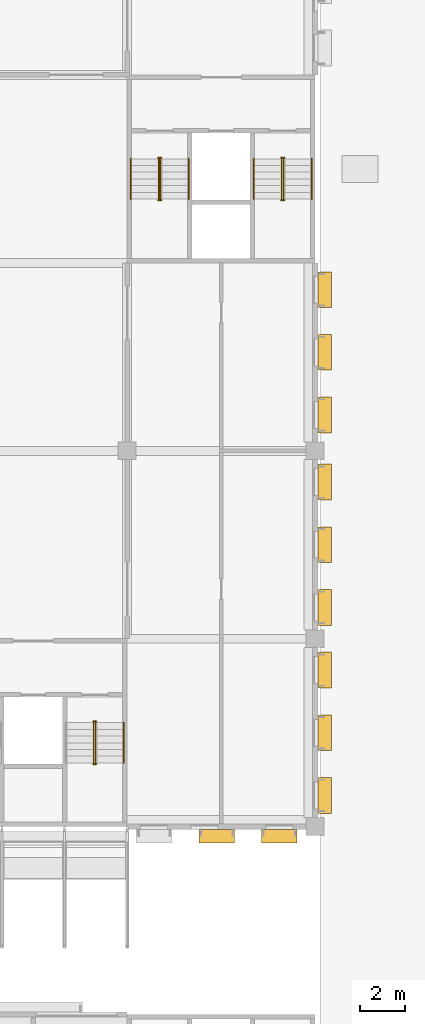
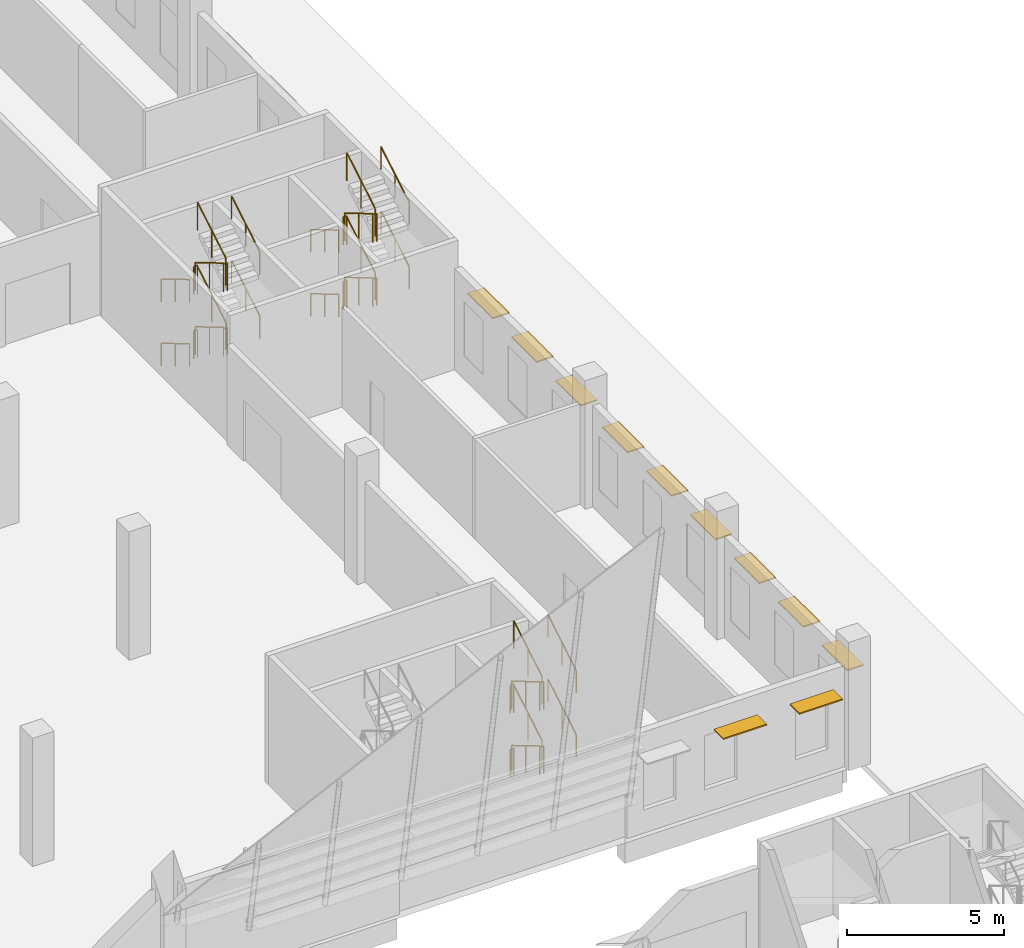
# One storey, part 98 of 101: 34 railings, 11 shading devices.
"""IFC4 building model written with IfcOpenShell, lengths in metres."""

from ifc_helpers import new_model, si_unit, direction, frame, origin, origin_2d, place, context, subcontext, project, spatial, rectangle, circle, extrude, material, material_profile, profile_set, type_object, element, save


model = new_model("IFC4")

# Units and contexts
model_context = context("Model", 3, precision=1e-05, world=origin(), true_north=direction((0.0, 1.0)))
body_context = subcontext(model_context, "Body", "Model", "MODEL_VIEW")
ifc_project = project(units=[si_unit("LENGTHUNIT", "METRE"), si_unit("AREAUNIT", "SQUARE_METRE"), si_unit("VOLUMEUNIT", "CUBIC_METRE"), si_unit("PLANEANGLEUNIT", "RADIAN"), si_unit("MASSUNIT", "GRAM", prefix="KILO")], contexts=[model_context])

# Site, building, storey
site_placement = place(None, origin())
site = spatial("IfcSite", under=ifc_project, at=site_placement, CompositionType="ELEMENT")
building_placement = place(site_placement, origin())
building = spatial("IfcBuilding", under=site, at=building_placement, Name="Almond Square Museum", CompositionType="ELEMENT")
storey_placement = place(building_placement, frame((0.0, 0.0, 5.5)))
storey = spatial("IfcBuildingStorey", under=building, at=storey_placement, Name="L01", CompositionType="ELEMENT", Elevation=5.5)

# Railings
ifc_material_1 = material(Name="Stainless steel and laminated glass", Category="steel")
railing_type_1 = type_object("IfcRailingType", Name="Stair guard 1100 steel and glass", PredefinedType="GUARDRAIL", material=ifc_material_1)
railing_1_placement = place(storey_placement, frame((147.31005859375, 55.050048828125, 0.178466796875)))
element("IfcRailing", 1, at=railing_1_placement, inside=storey, type_object=railing_type_1, Name="L01 ST-04 stair guard 1", PredefinedType="GUARDRAIL", context=body_context, shape_type="SweptSolid", body=[
    extrude(circle(Radius=0.02392578125, at=origin_2d()), frame((0.0, 0.0, 1.076171875), z_axis=(0.0, -0.859277029364, 0.511510495305), x_axis=(1.0, 0.0, 0.0)), (0.0, 0.0, 1.0), 2.0947265625),
    extrude(circle(Radius=0.02099609375, at=origin_2d()), origin(), (0.0, 0.0, 1.0), 1.052001953125),
    extrude(circle(Radius=0.02099609375, at=origin_2d()), frame((0.0, -0.89990234375, 0.53564453125)), (0.0, 0.0, 1.0), 1.052001953125),
    extrude(circle(Radius=0.02099609375, at=origin_2d()), frame((0.0, -1.800048828125, 1.071533203125)), (0.0, 0.0, 1.0), 1.052001953125),
])
railing_2_placement = place(storey_placement, frame((147.280029296875, 53.199951171875, 1.25)))
element("IfcRailing", 2, at=railing_2_placement, inside=storey, type_object=railing_type_1, Name="L01 ST-04 stair guard 2", PredefinedType="GUARDRAIL", context=body_context, shape_type="SweptSolid", body=[
    extrude(circle(Radius=0.02392578125, at=origin_2d()), frame((0.0, 0.0, 1.076171875), z_axis=(1.0, 0.0, 0.0), x_axis=(0.0, 1.0, 0.0)), (0.0, 0.0, 1.0), 0.139892578125),
    extrude(circle(Radius=0.02099609375, at=origin_2d()), origin(), (0.0, 0.0, 1.0), 1.052001953125),
    extrude(circle(Radius=0.02099609375, at=origin_2d()), frame((0.139892578125, 0.0, 0.0)), (0.0, 0.0, 1.0), 1.052001953125),
])
railing_3_placement = place(storey_placement, frame((147.389892578125, 53.25, 1.428466796875)))
element("IfcRailing", 3, at=railing_3_placement, inside=storey, type_object=railing_type_1, Name="L01 ST-04 stair guard 3", PredefinedType="GUARDRAIL", context=body_context, shape_type="SweptSolid", body=[
    extrude(circle(Radius=0.02392578125, at=origin_2d()), frame((0.0, 0.0, 1.076171875), z_axis=(0.0, 0.859277029364, 0.511510495305), x_axis=(-1.0, 0.0, 0.0)), (0.0, 0.0, 1.0), 2.0947265625),
    extrude(circle(Radius=0.02099609375, at=origin_2d()), origin(), (0.0, 0.0, 1.0), 1.052001953125),
    extrude(circle(Radius=0.02099609375, at=origin_2d()), frame((0.0, 0.89990234375, 0.53564453125)), (0.0, 0.0, 1.0), 1.052001953125),
    extrude(circle(Radius=0.02099609375, at=origin_2d()), frame((0.0, 1.800048828125, 1.071533203125)), (0.0, 0.0, 1.0), 1.052001953125),
])
railing_4_placement = place(storey_placement, frame((147.280029296875, 55.10009765625, 2.5)))
element("IfcRailing", 4, at=railing_4_placement, inside=storey, type_object=railing_type_1, Name="L01 ST-04 stair guard 4", PredefinedType="GUARDRAIL", context=body_context, shape_type="SweptSolid", body=[
    extrude(circle(Radius=0.02392578125, at=origin_2d()), frame((0.0, 0.0, 1.076171875), z_axis=(1.0, 0.0, 0.0), x_axis=(0.0, 1.0, 0.0)), (0.0, 0.0, 1.0), 0.139892578125),
    extrude(circle(Radius=0.02099609375, at=origin_2d()), origin(), (0.0, 0.0, 1.0), 1.052001953125),
    extrude(circle(Radius=0.02099609375, at=origin_2d()), frame((0.139892578125, 0.0, 0.0)), (0.0, 0.0, 1.0), 1.052001953125),
])
railing_5_placement = place(storey_placement, frame((147.31005859375, 55.050048828125, 2.678466796875)))
element("IfcRailing", 5, at=railing_5_placement, inside=storey, type_object=railing_type_1, Name="L01 ST-04 stair guard 5", PredefinedType="GUARDRAIL", context=body_context, shape_type="SweptSolid", body=[
    extrude(circle(Radius=0.02392578125, at=origin_2d()), frame((0.0, 0.0, 1.076171875), z_axis=(0.0, -0.859277029364, 0.511510495305), x_axis=(1.0, 0.0, 0.0)), (0.0, 0.0, 1.0), 2.0947265625),
    extrude(circle(Radius=0.02099609375, at=origin_2d()), origin(), (0.0, 0.0, 1.0), 1.052001953125),
    extrude(circle(Radius=0.02099609375, at=origin_2d()), frame((0.0, -0.89990234375, 0.53564453125)), (0.0, 0.0, 1.0), 1.052001953125),
    extrude(circle(Radius=0.02099609375, at=origin_2d()), frame((0.0, -1.800048828125, 1.071533203125)), (0.0, 0.0, 1.0), 1.052001953125),
])
railing_6_placement = place(storey_placement, frame((147.280029296875, 53.199951171875, 3.75)))
element("IfcRailing", 6, at=railing_6_placement, inside=storey, type_object=railing_type_1, Name="L01 ST-04 stair guard 6", PredefinedType="GUARDRAIL", context=body_context, shape_type="SweptSolid", body=[
    extrude(circle(Radius=0.02392578125, at=origin_2d()), frame((0.0, 0.0, 1.076171875), z_axis=(1.0, 0.0, 0.0), x_axis=(0.0, 1.0, 0.0)), (0.0, 0.0, 1.0), 0.139892578125),
    extrude(circle(Radius=0.02099609375, at=origin_2d()), origin(), (0.0, 0.0, 1.0), 1.052001953125),
    extrude(circle(Radius=0.02099609375, at=origin_2d()), frame((0.139892578125, 0.0, 0.0)), (0.0, 0.0, 1.0), 1.052001953125),
])
railing_7_placement = place(storey_placement, frame((147.389892578125, 53.25, 3.928466796875)))
element("IfcRailing", 7, at=railing_7_placement, inside=storey, type_object=railing_type_1, Name="L01 ST-04 stair guard 7", PredefinedType="GUARDRAIL", context=body_context, shape_type="SweptSolid", body=[
    extrude(circle(Radius=0.02392578125, at=origin_2d()), frame((0.0, 0.0, 1.076171875), z_axis=(0.0, 0.859277029364, 0.511510495305), x_axis=(-1.0, 0.0, 0.0)), (0.0, 0.0, 1.0), 2.0947265625),
    extrude(circle(Radius=0.02099609375, at=origin_2d()), origin(), (0.0, 0.0, 1.0), 1.052001953125),
    extrude(circle(Radius=0.02099609375, at=origin_2d()), frame((0.0, 0.89990234375, 0.53564453125)), (0.0, 0.0, 1.0), 1.052001953125),
    extrude(circle(Radius=0.02099609375, at=origin_2d()), frame((0.0, 1.800048828125, 1.071533203125)), (0.0, 0.0, 1.0), 1.052001953125),
])
railing_8_placement = place(storey_placement, frame((147.280029296875, 55.10009765625, 0.0)))
element("IfcRailing", 8, at=railing_8_placement, inside=storey, type_object=railing_type_1, Name="L01 ST-04 stair guard 8", PredefinedType="GUARDRAIL", context=body_context, shape_type="SweptSolid", body=[
    extrude(circle(Radius=0.02392578125, at=origin_2d()), frame((0.0, 0.0, 1.076171875), z_axis=(1.0, 0.0, 0.0), x_axis=(0.0, 1.0, 0.0)), (0.0, 0.0, 1.0), 0.139892578125),
    extrude(circle(Radius=0.02099609375, at=origin_2d()), origin(), (0.0, 0.0, 1.0), 1.052001953125),
    extrude(circle(Radius=0.02099609375, at=origin_2d()), frame((0.139892578125, 0.0, 0.0)), (0.0, 0.0, 1.0), 1.052001953125),
])
railing_9_placement = place(storey_placement, frame((150.2099609375, 80.25, 0.178466796875)))
element("IfcRailing", 9, at=railing_9_placement, inside=storey, type_object=railing_type_1, Name="L01 ST-25 stair guard 1", PredefinedType="GUARDRAIL", context=body_context, shape_type="SweptSolid", body=[
    extrude(circle(Radius=0.02392578125, at=origin_2d()), frame((0.0, 0.0, 1.076171875), z_axis=(0.0, -0.859277029364, 0.511510495305), x_axis=(1.0, 0.0, 0.0)), (0.0, 0.0, 1.0), 2.0947265625),
    extrude(circle(Radius=0.02099609375, at=origin_2d()), origin(), (0.0, 0.0, 1.0), 1.052001953125),
    extrude(circle(Radius=0.02099609375, at=origin_2d()), frame((0.0, -0.89990234375, 0.53564453125)), (0.0, 0.0, 1.0), 1.052001953125),
    extrude(circle(Radius=0.02099609375, at=origin_2d()), frame((0.0, -1.800048828125, 1.071533203125)), (0.0, 0.0, 1.0), 1.052001953125),
])
railing_10_placement = place(storey_placement, frame((150.179931640625, 78.39990234375, 1.25)))
element("IfcRailing", 10, at=railing_10_placement, inside=storey, type_object=railing_type_1, Name="L01 ST-25 stair guard 2", PredefinedType="GUARDRAIL", context=body_context, shape_type="SweptSolid", body=[
    extrude(circle(Radius=0.02392578125, at=origin_2d()), frame((0.0, 0.0, 1.076171875), z_axis=(1.0, 0.0, 0.0), x_axis=(0.0, 1.0, 0.0)), (0.0, 0.0, 1.0), 0.14013671875),
    extrude(circle(Radius=0.02099609375, at=origin_2d()), origin(), (0.0, 0.0, 1.0), 1.052001953125),
    extrude(circle(Radius=0.02099609375, at=origin_2d()), frame((0.14013671875, 0.0, 0.0)), (0.0, 0.0, 1.0), 1.052001953125),
])
railing_11_placement = place(storey_placement, frame((150.2900390625, 78.449951171875, 1.428466796875)))
element("IfcRailing", 11, at=railing_11_placement, inside=storey, type_object=railing_type_1, Name="L01 ST-25 stair guard 3", PredefinedType="GUARDRAIL", context=body_context, shape_type="SweptSolid", body=[
    extrude(circle(Radius=0.02392578125, at=origin_2d()), frame((0.0, 0.0, 1.076171875), z_axis=(0.0, 0.859277029364, 0.511510495305), x_axis=(-1.0, 0.0, 0.0)), (0.0, 0.0, 1.0), 2.0947265625),
    extrude(circle(Radius=0.02099609375, at=origin_2d()), origin(), (0.0, 0.0, 1.0), 1.052001953125),
    extrude(circle(Radius=0.02099609375, at=origin_2d()), frame((0.0, 0.89990234375, 0.53564453125)), (0.0, 0.0, 1.0), 1.052001953125),
    extrude(circle(Radius=0.02099609375, at=origin_2d()), frame((0.0, 1.800048828125, 1.071533203125)), (0.0, 0.0, 1.0), 1.052001953125),
])
railing_12_placement = place(storey_placement, frame((150.179931640625, 80.300048828125, 2.5)))
element("IfcRailing", 12, at=railing_12_placement, inside=storey, type_object=railing_type_1, Name="L01 ST-25 stair guard 4", PredefinedType="GUARDRAIL", context=body_context, shape_type="SweptSolid", body=[
    extrude(circle(Radius=0.02392578125, at=origin_2d()), frame((0.0, 0.0, 1.076171875), z_axis=(1.0, 0.0, 0.0), x_axis=(0.0, 1.0, 0.0)), (0.0, 0.0, 1.0), 0.14013671875),
    extrude(circle(Radius=0.02099609375, at=origin_2d()), origin(), (0.0, 0.0, 1.0), 1.052001953125),
    extrude(circle(Radius=0.02099609375, at=origin_2d()), frame((0.14013671875, 0.0, 0.0)), (0.0, 0.0, 1.0), 1.052001953125),
])
railing_13_placement = place(storey_placement, frame((150.2099609375, 80.25, 2.678466796875)))
element("IfcRailing", 13, at=railing_13_placement, inside=storey, type_object=railing_type_1, Name="L01 ST-25 stair guard 5", PredefinedType="GUARDRAIL", context=body_context, shape_type="SweptSolid", body=[
    extrude(circle(Radius=0.02392578125, at=origin_2d()), frame((0.0, 0.0, 1.076171875), z_axis=(0.0, -0.859277029364, 0.511510495305), x_axis=(1.0, 0.0, 0.0)), (0.0, 0.0, 1.0), 2.0947265625),
    extrude(circle(Radius=0.02099609375, at=origin_2d()), origin(), (0.0, 0.0, 1.0), 1.052001953125),
    extrude(circle(Radius=0.02099609375, at=origin_2d()), frame((0.0, -0.89990234375, 0.53564453125)), (0.0, 0.0, 1.0), 1.052001953125),
    extrude(circle(Radius=0.02099609375, at=origin_2d()), frame((0.0, -1.800048828125, 1.071533203125)), (0.0, 0.0, 1.0), 1.052001953125),
])
railing_14_placement = place(storey_placement, frame((150.179931640625, 78.39990234375, 3.75)))
element("IfcRailing", 14, at=railing_14_placement, inside=storey, type_object=railing_type_1, Name="L01 ST-25 stair guard 6", PredefinedType="GUARDRAIL", context=body_context, shape_type="SweptSolid", body=[
    extrude(circle(Radius=0.02392578125, at=origin_2d()), frame((0.0, 0.0, 1.076171875), z_axis=(1.0, 0.0, 0.0), x_axis=(0.0, 1.0, 0.0)), (0.0, 0.0, 1.0), 0.14013671875),
    extrude(circle(Radius=0.02099609375, at=origin_2d()), origin(), (0.0, 0.0, 1.0), 1.052001953125),
    extrude(circle(Radius=0.02099609375, at=origin_2d()), frame((0.14013671875, 0.0, 0.0)), (0.0, 0.0, 1.0), 1.052001953125),
])
railing_15_placement = place(storey_placement, frame((150.2900390625, 78.449951171875, 3.928466796875)))
element("IfcRailing", 15, at=railing_15_placement, inside=storey, type_object=railing_type_1, Name="L01 ST-25 stair guard 7", PredefinedType="GUARDRAIL", context=body_context, shape_type="SweptSolid", body=[
    extrude(circle(Radius=0.02392578125, at=origin_2d()), frame((0.0, 0.0, 1.076171875), z_axis=(0.0, 0.859277029364, 0.511510495305), x_axis=(-1.0, 0.0, 0.0)), (0.0, 0.0, 1.0), 2.0947265625),
    extrude(circle(Radius=0.02099609375, at=origin_2d()), origin(), (0.0, 0.0, 1.0), 1.052001953125),
    extrude(circle(Radius=0.02099609375, at=origin_2d()), frame((0.0, 0.89990234375, 0.53564453125)), (0.0, 0.0, 1.0), 1.052001953125),
    extrude(circle(Radius=0.02099609375, at=origin_2d()), frame((0.0, 1.800048828125, 1.071533203125)), (0.0, 0.0, 1.0), 1.052001953125),
])
railing_16_placement = place(storey_placement, frame((150.179931640625, 80.300048828125, 0.0)))
element("IfcRailing", 16, at=railing_16_placement, inside=storey, type_object=railing_type_1, Name="L01 ST-25 stair guard 8", PredefinedType="GUARDRAIL", context=body_context, shape_type="SweptSolid", body=[
    extrude(circle(Radius=0.02392578125, at=origin_2d()), frame((0.0, 0.0, 1.076171875), z_axis=(1.0, 0.0, 0.0), x_axis=(0.0, 1.0, 0.0)), (0.0, 0.0, 1.0), 0.14013671875),
    extrude(circle(Radius=0.02099609375, at=origin_2d()), origin(), (0.0, 0.0, 1.0), 1.052001953125),
    extrude(circle(Radius=0.02099609375, at=origin_2d()), frame((0.14013671875, 0.0, 0.0)), (0.0, 0.0, 1.0), 1.052001953125),
])
railing_17_placement = place(storey_placement, frame((155.7099609375, 80.25, 0.178466796875)))
element("IfcRailing", 17, at=railing_17_placement, inside=storey, type_object=railing_type_1, Name="L01 ST-26 stair guard 1", PredefinedType="GUARDRAIL", context=body_context, shape_type="SweptSolid", body=[
    extrude(circle(Radius=0.02392578125, at=origin_2d()), frame((0.0, 0.0, 1.076171875), z_axis=(0.0, -0.859277029364, 0.511510495305), x_axis=(1.0, 0.0, 0.0)), (0.0, 0.0, 1.0), 2.0947265625),
    extrude(circle(Radius=0.02099609375, at=origin_2d()), origin(), (0.0, 0.0, 1.0), 1.052001953125),
    extrude(circle(Radius=0.02099609375, at=origin_2d()), frame((0.0, -0.89990234375, 0.53564453125)), (0.0, 0.0, 1.0), 1.052001953125),
    extrude(circle(Radius=0.02099609375, at=origin_2d()), frame((0.0, -1.800048828125, 1.071533203125)), (0.0, 0.0, 1.0), 1.052001953125),
])
railing_18_placement = place(storey_placement, frame((155.679931640625, 78.39990234375, 1.25)))
element("IfcRailing", 18, at=railing_18_placement, inside=storey, type_object=railing_type_1, Name="L01 ST-26 stair guard 2", PredefinedType="GUARDRAIL", context=body_context, shape_type="SweptSolid", body=[
    extrude(circle(Radius=0.02392578125, at=origin_2d()), frame((0.0, 0.0, 1.076171875), z_axis=(1.0, 0.0, 0.0), x_axis=(0.0, 1.0, 0.0)), (0.0, 0.0, 1.0), 0.14013671875),
    extrude(circle(Radius=0.02099609375, at=origin_2d()), origin(), (0.0, 0.0, 1.0), 1.052001953125),
    extrude(circle(Radius=0.02099609375, at=origin_2d()), frame((0.14013671875, 0.0, 0.0)), (0.0, 0.0, 1.0), 1.052001953125),
])
railing_19_placement = place(storey_placement, frame((155.7900390625, 78.449951171875, 1.428466796875)))
element("IfcRailing", 19, at=railing_19_placement, inside=storey, type_object=railing_type_1, Name="L01 ST-26 stair guard 3", PredefinedType="GUARDRAIL", context=body_context, shape_type="SweptSolid", body=[
    extrude(circle(Radius=0.02392578125, at=origin_2d()), frame((0.0, 0.0, 1.076171875), z_axis=(0.0, 0.859277029364, 0.511510495305), x_axis=(-1.0, 0.0, 0.0)), (0.0, 0.0, 1.0), 2.0947265625),
    extrude(circle(Radius=0.02099609375, at=origin_2d()), origin(), (0.0, 0.0, 1.0), 1.052001953125),
    extrude(circle(Radius=0.02099609375, at=origin_2d()), frame((0.0, 0.89990234375, 0.53564453125)), (0.0, 0.0, 1.0), 1.052001953125),
    extrude(circle(Radius=0.02099609375, at=origin_2d()), frame((0.0, 1.800048828125, 1.071533203125)), (0.0, 0.0, 1.0), 1.052001953125),
])
railing_20_placement = place(storey_placement, frame((155.679931640625, 80.300048828125, 2.5)))
element("IfcRailing", 20, at=railing_20_placement, inside=storey, type_object=railing_type_1, Name="L01 ST-26 stair guard 4", PredefinedType="GUARDRAIL", context=body_context, shape_type="SweptSolid", body=[
    extrude(circle(Radius=0.02392578125, at=origin_2d()), frame((0.0, 0.0, 1.076171875), z_axis=(1.0, 0.0, 0.0), x_axis=(0.0, 1.0, 0.0)), (0.0, 0.0, 1.0), 0.14013671875),
    extrude(circle(Radius=0.02099609375, at=origin_2d()), origin(), (0.0, 0.0, 1.0), 1.052001953125),
    extrude(circle(Radius=0.02099609375, at=origin_2d()), frame((0.14013671875, 0.0, 0.0)), (0.0, 0.0, 1.0), 1.052001953125),
])
railing_21_placement = place(storey_placement, frame((155.7099609375, 80.25, 2.678466796875)))
element("IfcRailing", 21, at=railing_21_placement, inside=storey, type_object=railing_type_1, Name="L01 ST-26 stair guard 5", PredefinedType="GUARDRAIL", context=body_context, shape_type="SweptSolid", body=[
    extrude(circle(Radius=0.02392578125, at=origin_2d()), frame((0.0, 0.0, 1.076171875), z_axis=(0.0, -0.859277029364, 0.511510495305), x_axis=(1.0, 0.0, 0.0)), (0.0, 0.0, 1.0), 2.0947265625),
    extrude(circle(Radius=0.02099609375, at=origin_2d()), origin(), (0.0, 0.0, 1.0), 1.052001953125),
    extrude(circle(Radius=0.02099609375, at=origin_2d()), frame((0.0, -0.89990234375, 0.53564453125)), (0.0, 0.0, 1.0), 1.052001953125),
    extrude(circle(Radius=0.02099609375, at=origin_2d()), frame((0.0, -1.800048828125, 1.071533203125)), (0.0, 0.0, 1.0), 1.052001953125),
])
railing_22_placement = place(storey_placement, frame((155.679931640625, 78.39990234375, 3.75)))
element("IfcRailing", 22, at=railing_22_placement, inside=storey, type_object=railing_type_1, Name="L01 ST-26 stair guard 6", PredefinedType="GUARDRAIL", context=body_context, shape_type="SweptSolid", body=[
    extrude(circle(Radius=0.02392578125, at=origin_2d()), frame((0.0, 0.0, 1.076171875), z_axis=(1.0, 0.0, 0.0), x_axis=(0.0, 1.0, 0.0)), (0.0, 0.0, 1.0), 0.14013671875),
    extrude(circle(Radius=0.02099609375, at=origin_2d()), origin(), (0.0, 0.0, 1.0), 1.052001953125),
    extrude(circle(Radius=0.02099609375, at=origin_2d()), frame((0.14013671875, 0.0, 0.0)), (0.0, 0.0, 1.0), 1.052001953125),
])
railing_23_placement = place(storey_placement, frame((155.7900390625, 78.449951171875, 3.928466796875)))
element("IfcRailing", 23, at=railing_23_placement, inside=storey, type_object=railing_type_1, Name="L01 ST-26 stair guard 7", PredefinedType="GUARDRAIL", context=body_context, shape_type="SweptSolid", body=[
    extrude(circle(Radius=0.02392578125, at=origin_2d()), frame((0.0, 0.0, 1.076171875), z_axis=(0.0, 0.859277029364, 0.511510495305), x_axis=(-1.0, 0.0, 0.0)), (0.0, 0.0, 1.0), 2.0947265625),
    extrude(circle(Radius=0.02099609375, at=origin_2d()), origin(), (0.0, 0.0, 1.0), 1.052001953125),
    extrude(circle(Radius=0.02099609375, at=origin_2d()), frame((0.0, 0.89990234375, 0.53564453125)), (0.0, 0.0, 1.0), 1.052001953125),
    extrude(circle(Radius=0.02099609375, at=origin_2d()), frame((0.0, 1.800048828125, 1.071533203125)), (0.0, 0.0, 1.0), 1.052001953125),
])
railing_24_placement = place(storey_placement, frame((155.679931640625, 80.300048828125, 0.0)))
element("IfcRailing", 24, at=railing_24_placement, inside=storey, type_object=railing_type_1, Name="L01 ST-26 stair guard 8", PredefinedType="GUARDRAIL", context=body_context, shape_type="SweptSolid", body=[
    extrude(circle(Radius=0.02392578125, at=origin_2d()), frame((0.0, 0.0, 1.076171875), z_axis=(1.0, 0.0, 0.0), x_axis=(0.0, 1.0, 0.0)), (0.0, 0.0, 1.0), 0.14013671875),
    extrude(circle(Radius=0.02099609375, at=origin_2d()), origin(), (0.0, 0.0, 1.0), 1.052001953125),
    extrude(circle(Radius=0.02099609375, at=origin_2d()), frame((0.14013671875, 0.0, 0.0)), (0.0, 0.0, 1.0), 1.052001953125),
])
ifc_material_2 = material(Name="Stainless steel", Category="steel")
railing_type_2 = type_object("IfcRailingType", Name="Stair handrail 900 steel", PredefinedType="HANDRAIL", material=ifc_material_2)
for number, where, name in (
    (25, (148.64501953125, 53.25, 1.428466796875), "L01 ST-04 stair handrail 2"),
    (26, (148.64501953125, 53.25, 3.928466796875), "L01 ST-04 stair handrail 4"),
):
    element("IfcRailing", number, at=place(storey_placement, frame(where)), inside=storey, type_object=railing_type_2, Name=name, PredefinedType="HANDRAIL", context=body_context, shape_type="SweptSolid", body=[
        extrude(circle(Radius=0.02392578125, at=origin_2d()), frame((0.0, 0.0, 0.8759765625), z_axis=(0.0, 0.859277029364, 0.511510495305), x_axis=(-1.0, 0.0, 0.0)), (0.0, 0.0, 1.0), 2.0947265625),
        extrude(circle(Radius=0.02099609375, at=origin_2d()), origin(), (0.0, 0.0, 1.0), 0.851806640625),
        extrude(circle(Radius=0.02099609375, at=origin_2d()), frame((0.0, 0.89990234375, 0.53564453125)), (0.0, 0.0, 1.0), 0.851806640625),
        extrude(circle(Radius=0.02099609375, at=origin_2d()), frame((0.0, 1.800048828125, 1.071533203125)), (0.0, 0.0, 1.0), 0.851806640625),
    ])
railing_25_placement = place(storey_placement, frame((148.955078125, 80.25, 0.178466796875)))
element("IfcRailing", 27, at=railing_25_placement, inside=storey, type_object=railing_type_2, Name="L01 ST-25 stair handrail 1", PredefinedType="HANDRAIL", context=body_context, shape_type="SweptSolid", body=[
    extrude(circle(Radius=0.02392578125, at=origin_2d()), frame((0.0, 0.0, 0.8759765625), z_axis=(0.0, -0.859277029364, 0.511510495305), x_axis=(1.0, 0.0, 0.0)), (0.0, 0.0, 1.0), 2.0947265625),
    extrude(circle(Radius=0.02099609375, at=origin_2d()), origin(), (0.0, 0.0, 1.0), 0.851806640625),
    extrude(circle(Radius=0.02099609375, at=origin_2d()), frame((0.0, -0.89990234375, 0.53564453125)), (0.0, 0.0, 1.0), 0.851806640625),
    extrude(circle(Radius=0.02099609375, at=origin_2d()), frame((0.0, -1.800048828125, 1.071533203125)), (0.0, 0.0, 1.0), 0.851806640625),
])
railing_26_placement = place(storey_placement, frame((151.544921875, 78.449951171875, 1.428466796875)))
element("IfcRailing", 28, at=railing_26_placement, inside=storey, type_object=railing_type_2, Name="L01 ST-25 stair handrail 2", PredefinedType="HANDRAIL", context=body_context, shape_type="SweptSolid", body=[
    extrude(circle(Radius=0.02392578125, at=origin_2d()), frame((0.0, 0.0, 0.8759765625), z_axis=(0.0, 0.859277029364, 0.511510495305), x_axis=(-1.0, 0.0, 0.0)), (0.0, 0.0, 1.0), 2.0947265625),
    extrude(circle(Radius=0.02099609375, at=origin_2d()), origin(), (0.0, 0.0, 1.0), 0.851806640625),
    extrude(circle(Radius=0.02099609375, at=origin_2d()), frame((0.0, 0.89990234375, 0.53564453125)), (0.0, 0.0, 1.0), 0.851806640625),
    extrude(circle(Radius=0.02099609375, at=origin_2d()), frame((0.0, 1.800048828125, 1.071533203125)), (0.0, 0.0, 1.0), 0.851806640625),
])
railing_27_placement = place(storey_placement, frame((148.955078125, 80.25, 2.678466796875)))
element("IfcRailing", 29, at=railing_27_placement, inside=storey, type_object=railing_type_2, Name="L01 ST-25 stair handrail 3", PredefinedType="HANDRAIL", context=body_context, shape_type="SweptSolid", body=[
    extrude(circle(Radius=0.02392578125, at=origin_2d()), frame((0.0, 0.0, 0.8759765625), z_axis=(0.0, -0.859277029364, 0.511510495305), x_axis=(1.0, 0.0, 0.0)), (0.0, 0.0, 1.0), 2.0947265625),
    extrude(circle(Radius=0.02099609375, at=origin_2d()), origin(), (0.0, 0.0, 1.0), 0.851806640625),
    extrude(circle(Radius=0.02099609375, at=origin_2d()), frame((0.0, -0.89990234375, 0.53564453125)), (0.0, 0.0, 1.0), 0.851806640625),
    extrude(circle(Radius=0.02099609375, at=origin_2d()), frame((0.0, -1.800048828125, 1.071533203125)), (0.0, 0.0, 1.0), 0.851806640625),
])
railing_28_placement = place(storey_placement, frame((151.544921875, 78.449951171875, 3.928466796875)))
element("IfcRailing", 30, at=railing_28_placement, inside=storey, type_object=railing_type_2, Name="L01 ST-25 stair handrail 4", PredefinedType="HANDRAIL", context=body_context, shape_type="SweptSolid", body=[
    extrude(circle(Radius=0.02392578125, at=origin_2d()), frame((0.0, 0.0, 0.8759765625), z_axis=(0.0, 0.859277029364, 0.511510495305), x_axis=(-1.0, 0.0, 0.0)), (0.0, 0.0, 1.0), 2.0947265625),
    extrude(circle(Radius=0.02099609375, at=origin_2d()), origin(), (0.0, 0.0, 1.0), 0.851806640625),
    extrude(circle(Radius=0.02099609375, at=origin_2d()), frame((0.0, 0.89990234375, 0.53564453125)), (0.0, 0.0, 1.0), 0.851806640625),
    extrude(circle(Radius=0.02099609375, at=origin_2d()), frame((0.0, 1.800048828125, 1.071533203125)), (0.0, 0.0, 1.0), 0.851806640625),
])
railing_29_placement = place(storey_placement, frame((154.455078125, 80.25, 0.178466796875)))
element("IfcRailing", 31, at=railing_29_placement, inside=storey, type_object=railing_type_2, Name="L01 ST-26 stair handrail 1", PredefinedType="HANDRAIL", context=body_context, shape_type="SweptSolid", body=[
    extrude(circle(Radius=0.02392578125, at=origin_2d()), frame((0.0, 0.0, 0.8759765625), z_axis=(0.0, -0.859277029364, 0.511510495305), x_axis=(1.0, 0.0, 0.0)), (0.0, 0.0, 1.0), 2.0947265625),
    extrude(circle(Radius=0.02099609375, at=origin_2d()), origin(), (0.0, 0.0, 1.0), 0.851806640625),
    extrude(circle(Radius=0.02099609375, at=origin_2d()), frame((0.0, -0.89990234375, 0.53564453125)), (0.0, 0.0, 1.0), 0.851806640625),
    extrude(circle(Radius=0.02099609375, at=origin_2d()), frame((0.0, -1.800048828125, 1.071533203125)), (0.0, 0.0, 1.0), 0.851806640625),
])
railing_30_placement = place(storey_placement, frame((157.044921875, 78.449951171875, 1.428466796875)))
element("IfcRailing", 32, at=railing_30_placement, inside=storey, type_object=railing_type_2, Name="L01 ST-26 stair handrail 2", PredefinedType="HANDRAIL", context=body_context, shape_type="SweptSolid", body=[
    extrude(circle(Radius=0.02392578125, at=origin_2d()), frame((0.0, 0.0, 0.8759765625), z_axis=(0.0, 0.859277029364, 0.511510495305), x_axis=(-1.0, 0.0, 0.0)), (0.0, 0.0, 1.0), 2.0947265625),
    extrude(circle(Radius=0.02099609375, at=origin_2d()), origin(), (0.0, 0.0, 1.0), 0.851806640625),
    extrude(circle(Radius=0.02099609375, at=origin_2d()), frame((0.0, 0.89990234375, 0.53564453125)), (0.0, 0.0, 1.0), 0.851806640625),
    extrude(circle(Radius=0.02099609375, at=origin_2d()), frame((0.0, 1.800048828125, 1.071533203125)), (0.0, 0.0, 1.0), 0.851806640625),
])
railing_31_placement = place(storey_placement, frame((154.455078125, 80.25, 2.678466796875)))
element("IfcRailing", 33, at=railing_31_placement, inside=storey, type_object=railing_type_2, Name="L01 ST-26 stair handrail 3", PredefinedType="HANDRAIL", context=body_context, shape_type="SweptSolid", body=[
    extrude(circle(Radius=0.02392578125, at=origin_2d()), frame((0.0, 0.0, 0.8759765625), z_axis=(0.0, -0.859277029364, 0.511510495305), x_axis=(1.0, 0.0, 0.0)), (0.0, 0.0, 1.0), 2.0947265625),
    extrude(circle(Radius=0.02099609375, at=origin_2d()), origin(), (0.0, 0.0, 1.0), 0.851806640625),
    extrude(circle(Radius=0.02099609375, at=origin_2d()), frame((0.0, -0.89990234375, 0.53564453125)), (0.0, 0.0, 1.0), 0.851806640625),
    extrude(circle(Radius=0.02099609375, at=origin_2d()), frame((0.0, -1.800048828125, 1.071533203125)), (0.0, 0.0, 1.0), 0.851806640625),
])
railing_32_placement = place(storey_placement, frame((157.044921875, 78.449951171875, 3.928466796875)))
element("IfcRailing", 34, at=railing_32_placement, inside=storey, type_object=railing_type_2, Name="L01 ST-26 stair handrail 4", PredefinedType="HANDRAIL", context=body_context, shape_type="SweptSolid", body=[
    extrude(circle(Radius=0.02392578125, at=origin_2d()), frame((0.0, 0.0, 0.8759765625), z_axis=(0.0, 0.859277029364, 0.511510495305), x_axis=(-1.0, 0.0, 0.0)), (0.0, 0.0, 1.0), 2.0947265625),
    extrude(circle(Radius=0.02099609375, at=origin_2d()), origin(), (0.0, 0.0, 1.0), 0.851806640625),
    extrude(circle(Radius=0.02099609375, at=origin_2d()), frame((0.0, 0.89990234375, 0.53564453125)), (0.0, 0.0, 1.0), 0.851806640625),
    extrude(circle(Radius=0.02099609375, at=origin_2d()), frame((0.0, 1.800048828125, 1.071533203125)), (0.0, 0.0, 1.0), 0.851806640625),
])

# Shading devices
ifc_material_3 = material(Name="Anodised aluminium", Category="aluminium")
ifc_material_profile = material_profile(ifc_material_3, rectangle(XDim=0.60009765625, YDim=0.050048828125, at=origin_2d()))
ifc_profile_set = profile_set([ifc_material_profile], Name="Anodised aluminium")
shading_device_type = type_object("IfcShadingDeviceType", Name="Sun-shade blade 600 x 50", PredefinedType="USERDEFINED", material=ifc_profile_set)
shading_device_1_placement = place(storey_placement, frame((152.0, 49.97705078125, 3.1201171875), z_axis=(1.0, 0.0, 0.0), x_axis=(0.0, 1.0, 0.0)))
element("IfcShadingDevice", 35, at=shading_device_1_placement, inside=storey, type_object=shading_device_type, Name="Sun-shade blade", ObjectType="LOUVRE", PredefinedType="USERDEFINED", context=body_context, shape_type="SweptSolid", body=[
    extrude(rectangle(XDim=0.60009765625, YDim=0.050048828125, at=origin_2d()), origin(), (0.0, 0.0, 1.0), 1.60009765625),
])
shading_device_2_placement = place(storey_placement, frame((154.800048828125, 49.97705078125, 3.1201171875), z_axis=(1.0, 0.0, 0.0), x_axis=(0.0, 1.0, 0.0)))
element("IfcShadingDevice", 36, at=shading_device_2_placement, inside=storey, type_object=shading_device_type, Name="Sun-shade blade", ObjectType="LOUVRE", PredefinedType="USERDEFINED", context=body_context, shape_type="SweptSolid", body=[
    extrude(rectangle(XDim=0.60009765625, YDim=0.050048828125, at=origin_2d()), origin(), (0.0, 0.0, 1.0), 1.599853515625),
])
shading_device_3_placement = place(storey_placement, frame((157.623046875, 51.0, 3.1201171875), z_axis=(0.0, 1.0, 0.0), x_axis=(-1.0, 0.0, 0.0)))
element("IfcShadingDevice", 37, at=shading_device_3_placement, inside=storey, type_object=shading_device_type, Name="Sun-shade blade", ObjectType="LOUVRE", PredefinedType="USERDEFINED", context=body_context, shape_type="SweptSolid", body=[
    extrude(rectangle(XDim=0.60009765625, YDim=0.050048828125, at=origin_2d()), origin(), (0.0, 0.0, 1.0), 1.60009765625),
])
for number, where, z_axis, x_axis, name in (
    (38, (157.623046875, 53.800048828125, 3.1201171875), (0.0, 1.0, 0.0), (-1.0, 0.0, 0.0), "Sun-shade blade"),
    (39, (157.623046875, 56.60009765625, 3.1201171875), (0.0, 1.0, 0.0), (-1.0, 0.0, 0.0), "Sun-shade blade"),
):
    element("IfcShadingDevice", number, at=place(storey_placement, frame(where, z_axis=z_axis, x_axis=x_axis)), inside=storey, type_object=shading_device_type, Name=name, ObjectType="LOUVRE", PredefinedType="USERDEFINED", context=body_context, shape_type="SweptSolid", body=[
        extrude(rectangle(XDim=0.60009765625, YDim=0.050048828125, at=origin_2d()), origin(), (0.0, 0.0, 1.0), 1.599853515625),
    ])
for number, where, z_axis, x_axis, name in (
    (40, (157.623046875, 59.39990234375, 3.1201171875), (0.0, 1.0, 0.0), (-1.0, 0.0, 0.0), "Sun-shade blade"),
    (41, (157.623046875, 62.199951171875, 3.1201171875), (0.0, 1.0, 0.0), (-1.0, 0.0, 0.0), "Sun-shade blade"),
    (42, (157.623046875, 65.0, 3.1201171875), (0.0, 1.0, 0.0), (-1.0, 0.0, 0.0), "Sun-shade blade"),
    (43, (157.623046875, 68.0, 3.1201171875), (0.0, 1.0, 0.0), (-1.0, 0.0, 0.0), "Sun-shade blade"),
):
    element("IfcShadingDevice", number, at=place(storey_placement, frame(where, z_axis=z_axis, x_axis=x_axis)), inside=storey, type_object=shading_device_type, Name=name, ObjectType="LOUVRE", PredefinedType="USERDEFINED", context=body_context, shape_type="SweptSolid", body=[
        extrude(rectangle(XDim=0.60009765625, YDim=0.050048828125, at=origin_2d()), origin(), (0.0, 0.0, 1.0), 1.60009765625),
    ])
for number, where, z_axis, x_axis, name in (
    (44, (157.623046875, 70.800048828125, 3.1201171875), (0.0, 1.0, 0.0), (-1.0, 0.0, 0.0), "Sun-shade blade"),
    (45, (157.623046875, 73.60009765625, 3.1201171875), (0.0, 1.0, 0.0), (-1.0, 0.0, 0.0), "Sun-shade blade"),
):
    element("IfcShadingDevice", number, at=place(storey_placement, frame(where, z_axis=z_axis, x_axis=x_axis)), inside=storey, type_object=shading_device_type, Name=name, ObjectType="LOUVRE", PredefinedType="USERDEFINED", context=body_context, shape_type="SweptSolid", body=[
        extrude(rectangle(XDim=0.60009765625, YDim=0.050048828125, at=origin_2d()), origin(), (0.0, 0.0, 1.0), 1.599853515625),
    ])

save(model, "model.ifc")
